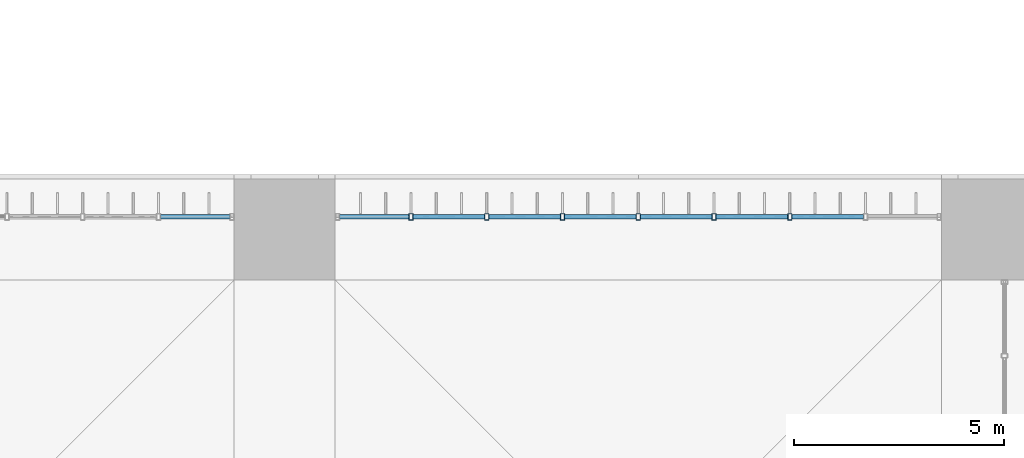
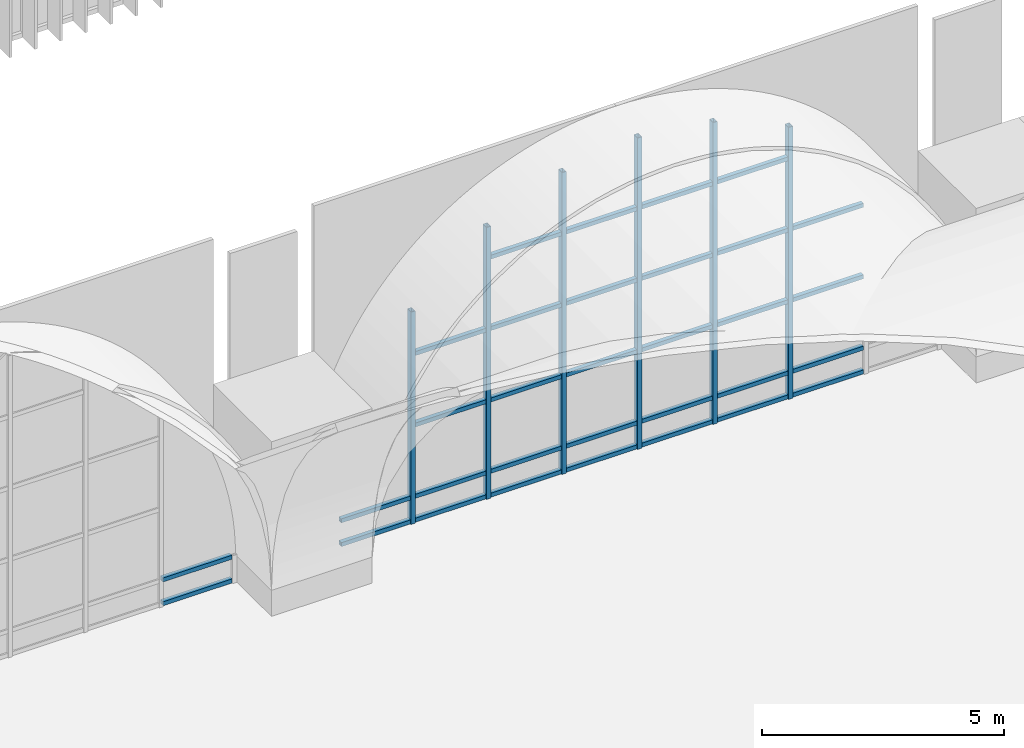
# One storey, part 55 of 169: 38 members, 2 elements without a shape of their own.
"""IFC4 building model written with IfcOpenShell, lengths in metres."""

from ifc_helpers import new_model, si_unit, direction, frame, origin, origin_2d, place, context, subcontext, project, spatial, hollow_rectangle, extrude, material, layer, layer_set, material_profile, profile_set, type_object, element, aggregate, save


model = new_model("IFC4")

# Units and contexts
model_context = context("Model", 3, precision=1e-05, world=origin(), true_north=direction((0.0, 1.0)))
body_context = subcontext(model_context, "Body", "Model", "MODEL_VIEW")
ifc_project = project(units=[si_unit("LENGTHUNIT", "METRE"), si_unit("AREAUNIT", "SQUARE_METRE"), si_unit("VOLUMEUNIT", "CUBIC_METRE"), si_unit("PLANEANGLEUNIT", "RADIAN"), si_unit("MASSUNIT", "GRAM", prefix="KILO")], contexts=[model_context])

# Site, building, storey
site_placement = place(None, origin())
site = spatial("IfcSite", under=ifc_project, at=site_placement, CompositionType="ELEMENT")
building_placement = place(site_placement, origin())
building = spatial("IfcBuilding", under=site, at=building_placement, Name="Verrick Yard Athletic Hall", CompositionType="ELEMENT")
storey_placement = place(building_placement, frame((0.0, 0.0, 4.39990234375)))
storey = spatial("IfcBuildingStorey", under=building, at=storey_placement, Name="L01", CompositionType="ELEMENT", Elevation=4.39990234375)

# Curtain wall, members
ifc_material_1 = material(Name="Aluminium and glass curtain wall", Category="aluminium")
ifc_layer = layer(ifc_material_1, 0.14990234375)
ifc_layer_set = layer_set([ifc_layer], Name="Arcade glazing arch")
curtain_wall_type = type_object("IfcCurtainWallType", Name="Arcade glazing arch", PredefinedType="NOTDEFINED", material=ifc_layer_set)
curtain_wall_1_placement = place(storey_placement, origin())
curtain_wall_1 = element("IfcCurtainWall", 1, at=curtain_wall_1_placement, inside=storey, type_object=curtain_wall_type, Name="Arcade glazing N7", PredefinedType="NOTDEFINED")
ifc_material_2 = material(Name="Structural steel HSS Class C 350W (CSA G40.20/G40.21)", Category="steel")
ifc_material_profile_1 = material_profile(ifc_material_2, hollow_rectangle(XDim=0.1015625, YDim=0.15234375, WallThickness=0.008056640625, at=origin_2d()), Name="HSS152x102x7.9")
ifc_profile_set_1 = profile_set([ifc_material_profile_1], Name="Structural steel HSS Class C 350W (CSA G40.20/G40.21)")
member_type_1 = type_object("IfcMemberType", Name="Curtain wall mullion HSS152x102x7.9", PredefinedType="MULLION", material=ifc_profile_set_1)
member_1_placement = place(storey_placement, frame((143.800048828125, 53.10009765625, 0.0), z_axis=(0.0, 0.0, 1.0), x_axis=(1.0, 0.0, 0.0)))
member_1 = element("IfcMember", 2, at=member_1_placement, type_object=member_type_1, Name="Arcade glazing N7 mullion 2", PredefinedType="MULLION", context=body_context, shape_type="SweptSolid", body=[
    extrude(hollow_rectangle(XDim=0.1015625, YDim=0.15234375, WallThickness=0.008056640625, at=origin_2d()), origin(), (0.0, 0.0, 1.0), 5.351806640625),
])
member_2_placement = place(storey_placement, frame((145.60009765625, 53.10009765625, 0.0), z_axis=(0.0, 0.0, 1.0), x_axis=(1.0, 0.0, 0.0)))
member_2 = element("IfcMember", 3, at=member_2_placement, type_object=member_type_1, Name="Arcade glazing N7 mullion 3", PredefinedType="MULLION", context=body_context, shape_type="SweptSolid", body=[
    extrude(hollow_rectangle(XDim=0.1015625, YDim=0.15234375, WallThickness=0.008056640625, at=origin_2d()), origin(), (0.0, 0.0, 1.0), 6.8544921875),
])
member_3_placement = place(storey_placement, frame((147.39990234375, 53.10009765625, 0.0), z_axis=(0.0, 0.0, 1.0), x_axis=(1.0, 0.0, 0.0)))
member_3 = element("IfcMember", 4, at=member_3_placement, type_object=member_type_1, Name="Arcade glazing N7 mullion 4", PredefinedType="MULLION", context=body_context, shape_type="SweptSolid", body=[
    extrude(hollow_rectangle(XDim=0.1015625, YDim=0.15234375, WallThickness=0.008056640625, at=origin_2d()), origin(), (0.0, 0.0, 1.0), 7.607666015625),
])
member_4_placement = place(storey_placement, frame((149.199951171875, 53.10009765625, 0.0), z_axis=(0.0, 0.0, 1.0), x_axis=(1.0, 0.0, 0.0)))
member_4 = element("IfcMember", 5, at=member_4_placement, type_object=member_type_1, Name="Arcade glazing N7 mullion 5", PredefinedType="MULLION", context=body_context, shape_type="SweptSolid", body=[
    extrude(hollow_rectangle(XDim=0.1015625, YDim=0.15234375, WallThickness=0.008056640625, at=origin_2d()), origin(), (0.0, 0.0, 1.0), 7.8486328125),
])
member_5_placement = place(storey_placement, frame((151.0, 53.10009765625, 0.0), z_axis=(0.0, 0.0, 1.0), x_axis=(1.0, 0.0, 0.0)))
member_5 = element("IfcMember", 6, at=member_5_placement, type_object=member_type_1, Name="Arcade glazing N7 mullion 6", PredefinedType="MULLION", context=body_context, shape_type="SweptSolid", body=[
    extrude(hollow_rectangle(XDim=0.1015625, YDim=0.15234375, WallThickness=0.008056640625, at=origin_2d()), origin(), (0.0, 0.0, 1.0), 7.607666015625),
])
member_6_placement = place(storey_placement, frame((152.800048828125, 53.10009765625, 0.0), z_axis=(0.0, 0.0, 1.0), x_axis=(1.0, 0.0, 0.0)))
member_6 = element("IfcMember", 7, at=member_6_placement, type_object=member_type_1, Name="Arcade glazing N7 mullion 7", PredefinedType="MULLION", context=body_context, shape_type="SweptSolid", body=[
    extrude(hollow_rectangle(XDim=0.1015625, YDim=0.15234375, WallThickness=0.008056640625, at=origin_2d()), origin(), (0.0, 0.0, 1.0), 6.8544921875),
])

curtain_wall_2_placement = place(storey_placement, origin())
curtain_wall_2 = element("IfcCurtainWall", 8, at=curtain_wall_2_placement, inside=storey, type_object=curtain_wall_type, Name="Arcade glazing N6", PredefinedType="NOTDEFINED")
ifc_material_profile_2 = material_profile(ifc_material_2, hollow_rectangle(XDim=0.1015625, YDim=0.1015625, WallThickness=0.00634765625, at=origin_2d()), Name="HSS102x102x6.4")
ifc_profile_set_2 = profile_set([ifc_material_profile_2], Name="Structural steel HSS Class C 350W (CSA G40.20/G40.21)")
member_type_2 = type_object("IfcMemberType", Name="Curtain wall transom HSS102x102x6.4", PredefinedType="USERDEFINED", material=ifc_profile_set_2)
member_7_placement = place(storey_placement, frame((137.850830078125, 53.10009765625, 0.05078125), z_axis=(1.0, 0.0, 0.0), x_axis=(0.0, 1.0, 0.0)))
member_7 = element("IfcMember", 9, at=member_7_placement, type_object=member_type_2, Name="Arcade glazing N6 transom 31", ObjectType="TRANSOM", PredefinedType="USERDEFINED", context=body_context, shape_type="SweptSolid", body=[
    extrude(hollow_rectangle(XDim=0.1015625, YDim=0.1015625, WallThickness=0.00634765625, at=origin_2d()), origin(), (0.0, 0.0, 1.0), 1.64697265625),
])
member_8_placement = place(storey_placement, frame((137.850830078125, 53.10009765625, 0.650146484375), z_axis=(1.0, 0.0, 0.0), x_axis=(0.0, 1.0, 0.0)))
member_8 = element("IfcMember", 10, at=member_8_placement, type_object=member_type_2, Name="Arcade glazing N6 transom 32", ObjectType="TRANSOM", PredefinedType="USERDEFINED", context=body_context, shape_type="SweptSolid", body=[
    extrude(hollow_rectangle(XDim=0.1015625, YDim=0.1015625, WallThickness=0.00634765625, at=origin_2d()), origin(), (0.0, 0.0, 1.0), 1.64697265625),
])
aggregate(curtain_wall_2, [member_7, member_8])

# Member
member_9_placement = place(storey_placement, frame((142.10205078125, 53.10009765625, 0.05078125), z_axis=(1.0, 0.0, 0.0), x_axis=(0.0, 1.0, 0.0)))
member_9 = element("IfcMember", 11, at=member_9_placement, type_object=member_type_2, Name="Arcade glazing N7 transom 1", ObjectType="TRANSOM", PredefinedType="USERDEFINED", context=body_context, shape_type="SweptSolid", body=[
    extrude(hollow_rectangle(XDim=0.1015625, YDim=0.1015625, WallThickness=0.00634765625, at=origin_2d()), origin(), (0.0, 0.0, 1.0), 1.647216796875),
])

member_10_placement = place(storey_placement, frame((142.10205078125, 53.10009765625, 0.650146484375), z_axis=(1.0, 0.0, 0.0), x_axis=(0.0, 1.0, 0.0)))
member_10 = element("IfcMember", 12, at=member_10_placement, type_object=member_type_2, Name="Arcade glazing N7 transom 2", ObjectType="TRANSOM", PredefinedType="USERDEFINED", context=body_context, shape_type="SweptSolid", body=[
    extrude(hollow_rectangle(XDim=0.1015625, YDim=0.1015625, WallThickness=0.00634765625, at=origin_2d()), origin(), (0.0, 0.0, 1.0), 1.647216796875),
])

member_11_placement = place(storey_placement, frame((143.850830078125, 53.10009765625, 0.05078125), z_axis=(1.0, 0.0, 0.0), x_axis=(0.0, 1.0, 0.0)))
member_11 = element("IfcMember", 13, at=member_11_placement, type_object=member_type_2, Name="Arcade glazing N7 transom 3", ObjectType="TRANSOM", PredefinedType="USERDEFINED", context=body_context, shape_type="SweptSolid", body=[
    extrude(hollow_rectangle(XDim=0.1015625, YDim=0.1015625, WallThickness=0.00634765625, at=origin_2d()), origin(), (0.0, 0.0, 1.0), 1.698486328125),
])

member_12_placement = place(storey_placement, frame((143.850830078125, 53.10009765625, 0.650146484375), z_axis=(1.0, 0.0, 0.0), x_axis=(0.0, 1.0, 0.0)))
member_12 = element("IfcMember", 14, at=member_12_placement, type_object=member_type_2, Name="Arcade glazing N7 transom 4", ObjectType="TRANSOM", PredefinedType="USERDEFINED", context=body_context, shape_type="SweptSolid", body=[
    extrude(hollow_rectangle(XDim=0.1015625, YDim=0.1015625, WallThickness=0.00634765625, at=origin_2d()), origin(), (0.0, 0.0, 1.0), 1.698486328125),
])

member_13_placement = place(storey_placement, frame((143.850830078125, 53.10009765625, 2.4501953125), z_axis=(1.0, 0.0, 0.0), x_axis=(0.0, 1.0, 0.0)))
member_13 = element("IfcMember", 15, at=member_13_placement, type_object=member_type_2, Name="Arcade glazing N7 transom 5", ObjectType="TRANSOM", PredefinedType="USERDEFINED", context=body_context, shape_type="SweptSolid", body=[
    extrude(hollow_rectangle(XDim=0.1015625, YDim=0.1015625, WallThickness=0.00634765625, at=origin_2d()), origin(), (0.0, 0.0, 1.0), 1.698486328125),
])

member_14_placement = place(storey_placement, frame((143.850830078125, 53.10009765625, 4.25), z_axis=(1.0, 0.0, 0.0), x_axis=(0.0, 1.0, 0.0)))
member_14 = element("IfcMember", 16, at=member_14_placement, type_object=member_type_2, Name="Arcade glazing N7 transom 6", ObjectType="TRANSOM", PredefinedType="USERDEFINED", context=body_context, shape_type="SweptSolid", body=[
    extrude(hollow_rectangle(XDim=0.1015625, YDim=0.1015625, WallThickness=0.00634765625, at=origin_2d()), origin(), (0.0, 0.0, 1.0), 1.698486328125),
])

member_15_placement = place(storey_placement, frame((145.65087890625, 53.10009765625, 0.05078125), z_axis=(1.0, 0.0, 0.0), x_axis=(0.0, 1.0, 0.0)))
member_15 = element("IfcMember", 17, at=member_15_placement, type_object=member_type_2, Name="Arcade glazing N7 transom 7", ObjectType="TRANSOM", PredefinedType="USERDEFINED", context=body_context, shape_type="SweptSolid", body=[
    extrude(hollow_rectangle(XDim=0.1015625, YDim=0.1015625, WallThickness=0.00634765625, at=origin_2d()), origin(), (0.0, 0.0, 1.0), 1.6982421875),
])

member_16_placement = place(storey_placement, frame((145.65087890625, 53.10009765625, 0.650146484375), z_axis=(1.0, 0.0, 0.0), x_axis=(0.0, 1.0, 0.0)))
member_16 = element("IfcMember", 18, at=member_16_placement, type_object=member_type_2, Name="Arcade glazing N7 transom 8", ObjectType="TRANSOM", PredefinedType="USERDEFINED", context=body_context, shape_type="SweptSolid", body=[
    extrude(hollow_rectangle(XDim=0.1015625, YDim=0.1015625, WallThickness=0.00634765625, at=origin_2d()), origin(), (0.0, 0.0, 1.0), 1.6982421875),
])

member_17_placement = place(storey_placement, frame((145.65087890625, 53.10009765625, 2.4501953125), z_axis=(1.0, 0.0, 0.0), x_axis=(0.0, 1.0, 0.0)))
member_17 = element("IfcMember", 19, at=member_17_placement, type_object=member_type_2, Name="Arcade glazing N7 transom 9", ObjectType="TRANSOM", PredefinedType="USERDEFINED", context=body_context, shape_type="SweptSolid", body=[
    extrude(hollow_rectangle(XDim=0.1015625, YDim=0.1015625, WallThickness=0.00634765625, at=origin_2d()), origin(), (0.0, 0.0, 1.0), 1.6982421875),
])

member_18_placement = place(storey_placement, frame((145.65087890625, 53.10009765625, 4.25), z_axis=(1.0, 0.0, 0.0), x_axis=(0.0, 1.0, 0.0)))
member_18 = element("IfcMember", 20, at=member_18_placement, type_object=member_type_2, Name="Arcade glazing N7 transom 10", ObjectType="TRANSOM", PredefinedType="USERDEFINED", context=body_context, shape_type="SweptSolid", body=[
    extrude(hollow_rectangle(XDim=0.1015625, YDim=0.1015625, WallThickness=0.00634765625, at=origin_2d()), origin(), (0.0, 0.0, 1.0), 1.6982421875),
])

member_19_placement = place(storey_placement, frame((145.65087890625, 53.10009765625, 6.050048828125), z_axis=(1.0, 0.0, 0.0), x_axis=(0.0, 1.0, 0.0)))
member_19 = element("IfcMember", 21, at=member_19_placement, type_object=member_type_2, Name="Arcade glazing N7 transom 11", ObjectType="TRANSOM", PredefinedType="USERDEFINED", context=body_context, shape_type="SweptSolid", body=[
    extrude(hollow_rectangle(XDim=0.1015625, YDim=0.1015625, WallThickness=0.00634765625, at=origin_2d()), origin(), (0.0, 0.0, 1.0), 1.6982421875),
])

member_20_placement = place(storey_placement, frame((147.45068359375, 53.10009765625, 0.05078125), z_axis=(1.0, 0.0, 0.0), x_axis=(0.0, 1.0, 0.0)))
member_20 = element("IfcMember", 22, at=member_20_placement, type_object=member_type_2, Name="Arcade glazing N7 transom 12", ObjectType="TRANSOM", PredefinedType="USERDEFINED", context=body_context, shape_type="SweptSolid", body=[
    extrude(hollow_rectangle(XDim=0.1015625, YDim=0.1015625, WallThickness=0.00634765625, at=origin_2d()), origin(), (0.0, 0.0, 1.0), 1.698486328125),
])

member_21_placement = place(storey_placement, frame((147.45068359375, 53.10009765625, 0.650146484375), z_axis=(1.0, 0.0, 0.0), x_axis=(0.0, 1.0, 0.0)))
member_21 = element("IfcMember", 23, at=member_21_placement, type_object=member_type_2, Name="Arcade glazing N7 transom 13", ObjectType="TRANSOM", PredefinedType="USERDEFINED", context=body_context, shape_type="SweptSolid", body=[
    extrude(hollow_rectangle(XDim=0.1015625, YDim=0.1015625, WallThickness=0.00634765625, at=origin_2d()), origin(), (0.0, 0.0, 1.0), 1.698486328125),
])

member_22_placement = place(storey_placement, frame((147.45068359375, 53.10009765625, 2.4501953125), z_axis=(1.0, 0.0, 0.0), x_axis=(0.0, 1.0, 0.0)))
member_22 = element("IfcMember", 24, at=member_22_placement, type_object=member_type_2, Name="Arcade glazing N7 transom 14", ObjectType="TRANSOM", PredefinedType="USERDEFINED", context=body_context, shape_type="SweptSolid", body=[
    extrude(hollow_rectangle(XDim=0.1015625, YDim=0.1015625, WallThickness=0.00634765625, at=origin_2d()), origin(), (0.0, 0.0, 1.0), 1.698486328125),
])

member_23_placement = place(storey_placement, frame((147.45068359375, 53.10009765625, 4.25), z_axis=(1.0, 0.0, 0.0), x_axis=(0.0, 1.0, 0.0)))
member_23 = element("IfcMember", 25, at=member_23_placement, type_object=member_type_2, Name="Arcade glazing N7 transom 15", ObjectType="TRANSOM", PredefinedType="USERDEFINED", context=body_context, shape_type="SweptSolid", body=[
    extrude(hollow_rectangle(XDim=0.1015625, YDim=0.1015625, WallThickness=0.00634765625, at=origin_2d()), origin(), (0.0, 0.0, 1.0), 1.698486328125),
])

member_24_placement = place(storey_placement, frame((147.45068359375, 53.10009765625, 6.050048828125), z_axis=(1.0, 0.0, 0.0), x_axis=(0.0, 1.0, 0.0)))
member_24 = element("IfcMember", 26, at=member_24_placement, type_object=member_type_2, Name="Arcade glazing N7 transom 16", ObjectType="TRANSOM", PredefinedType="USERDEFINED", context=body_context, shape_type="SweptSolid", body=[
    extrude(hollow_rectangle(XDim=0.1015625, YDim=0.1015625, WallThickness=0.00634765625, at=origin_2d()), origin(), (0.0, 0.0, 1.0), 1.698486328125),
])

member_25_placement = place(storey_placement, frame((149.250732421875, 53.10009765625, 0.05078125), z_axis=(1.0, 0.0, 0.0), x_axis=(0.0, 1.0, 0.0)))
member_25 = element("IfcMember", 27, at=member_25_placement, type_object=member_type_2, Name="Arcade glazing N7 transom 17", ObjectType="TRANSOM", PredefinedType="USERDEFINED", context=body_context, shape_type="SweptSolid", body=[
    extrude(hollow_rectangle(XDim=0.1015625, YDim=0.1015625, WallThickness=0.00634765625, at=origin_2d()), origin(), (0.0, 0.0, 1.0), 1.698486328125),
])

member_26_placement = place(storey_placement, frame((149.250732421875, 53.10009765625, 0.650146484375), z_axis=(1.0, 0.0, 0.0), x_axis=(0.0, 1.0, 0.0)))
member_26 = element("IfcMember", 28, at=member_26_placement, type_object=member_type_2, Name="Arcade glazing N7 transom 18", ObjectType="TRANSOM", PredefinedType="USERDEFINED", context=body_context, shape_type="SweptSolid", body=[
    extrude(hollow_rectangle(XDim=0.1015625, YDim=0.1015625, WallThickness=0.00634765625, at=origin_2d()), origin(), (0.0, 0.0, 1.0), 1.698486328125),
])

member_27_placement = place(storey_placement, frame((149.250732421875, 53.10009765625, 2.4501953125), z_axis=(1.0, 0.0, 0.0), x_axis=(0.0, 1.0, 0.0)))
member_27 = element("IfcMember", 29, at=member_27_placement, type_object=member_type_2, Name="Arcade glazing N7 transom 19", ObjectType="TRANSOM", PredefinedType="USERDEFINED", context=body_context, shape_type="SweptSolid", body=[
    extrude(hollow_rectangle(XDim=0.1015625, YDim=0.1015625, WallThickness=0.00634765625, at=origin_2d()), origin(), (0.0, 0.0, 1.0), 1.698486328125),
])

member_28_placement = place(storey_placement, frame((149.250732421875, 53.10009765625, 4.25), z_axis=(1.0, 0.0, 0.0), x_axis=(0.0, 1.0, 0.0)))
member_28 = element("IfcMember", 30, at=member_28_placement, type_object=member_type_2, Name="Arcade glazing N7 transom 20", ObjectType="TRANSOM", PredefinedType="USERDEFINED", context=body_context, shape_type="SweptSolid", body=[
    extrude(hollow_rectangle(XDim=0.1015625, YDim=0.1015625, WallThickness=0.00634765625, at=origin_2d()), origin(), (0.0, 0.0, 1.0), 1.698486328125),
])

member_29_placement = place(storey_placement, frame((149.250732421875, 53.10009765625, 6.050048828125), z_axis=(1.0, 0.0, 0.0), x_axis=(0.0, 1.0, 0.0)))
member_29 = element("IfcMember", 31, at=member_29_placement, type_object=member_type_2, Name="Arcade glazing N7 transom 21", ObjectType="TRANSOM", PredefinedType="USERDEFINED", context=body_context, shape_type="SweptSolid", body=[
    extrude(hollow_rectangle(XDim=0.1015625, YDim=0.1015625, WallThickness=0.00634765625, at=origin_2d()), origin(), (0.0, 0.0, 1.0), 1.698486328125),
])

member_30_placement = place(storey_placement, frame((151.05078125, 53.10009765625, 0.05078125), z_axis=(1.0, 0.0, 0.0), x_axis=(0.0, 1.0, 0.0)))
member_30 = element("IfcMember", 32, at=member_30_placement, type_object=member_type_2, Name="Arcade glazing N7 transom 22", ObjectType="TRANSOM", PredefinedType="USERDEFINED", context=body_context, shape_type="SweptSolid", body=[
    extrude(hollow_rectangle(XDim=0.1015625, YDim=0.1015625, WallThickness=0.00634765625, at=origin_2d()), origin(), (0.0, 0.0, 1.0), 1.698486328125),
])

member_31_placement = place(storey_placement, frame((151.05078125, 53.10009765625, 0.650146484375), z_axis=(1.0, 0.0, 0.0), x_axis=(0.0, 1.0, 0.0)))
member_31 = element("IfcMember", 33, at=member_31_placement, type_object=member_type_2, Name="Arcade glazing N7 transom 23", ObjectType="TRANSOM", PredefinedType="USERDEFINED", context=body_context, shape_type="SweptSolid", body=[
    extrude(hollow_rectangle(XDim=0.1015625, YDim=0.1015625, WallThickness=0.00634765625, at=origin_2d()), origin(), (0.0, 0.0, 1.0), 1.698486328125),
])

member_32_placement = place(storey_placement, frame((151.05078125, 53.10009765625, 2.4501953125), z_axis=(1.0, 0.0, 0.0), x_axis=(0.0, 1.0, 0.0)))
member_32 = element("IfcMember", 34, at=member_32_placement, type_object=member_type_2, Name="Arcade glazing N7 transom 24", ObjectType="TRANSOM", PredefinedType="USERDEFINED", context=body_context, shape_type="SweptSolid", body=[
    extrude(hollow_rectangle(XDim=0.1015625, YDim=0.1015625, WallThickness=0.00634765625, at=origin_2d()), origin(), (0.0, 0.0, 1.0), 1.698486328125),
])

member_33_placement = place(storey_placement, frame((151.05078125, 53.10009765625, 4.25), z_axis=(1.0, 0.0, 0.0), x_axis=(0.0, 1.0, 0.0)))
member_33 = element("IfcMember", 35, at=member_33_placement, type_object=member_type_2, Name="Arcade glazing N7 transom 25", ObjectType="TRANSOM", PredefinedType="USERDEFINED", context=body_context, shape_type="SweptSolid", body=[
    extrude(hollow_rectangle(XDim=0.1015625, YDim=0.1015625, WallThickness=0.00634765625, at=origin_2d()), origin(), (0.0, 0.0, 1.0), 1.698486328125),
])

member_34_placement = place(storey_placement, frame((151.05078125, 53.10009765625, 6.050048828125), z_axis=(1.0, 0.0, 0.0), x_axis=(0.0, 1.0, 0.0)))
member_34 = element("IfcMember", 36, at=member_34_placement, type_object=member_type_2, Name="Arcade glazing N7 transom 26", ObjectType="TRANSOM", PredefinedType="USERDEFINED", context=body_context, shape_type="SweptSolid", body=[
    extrude(hollow_rectangle(XDim=0.1015625, YDim=0.1015625, WallThickness=0.00634765625, at=origin_2d()), origin(), (0.0, 0.0, 1.0), 1.698486328125),
])

member_35_placement = place(storey_placement, frame((152.850830078125, 53.10009765625, 0.05078125), z_axis=(1.0, 0.0, 0.0), x_axis=(0.0, 1.0, 0.0)))
member_35 = element("IfcMember", 37, at=member_35_placement, type_object=member_type_2, Name="Arcade glazing N7 transom 27", ObjectType="TRANSOM", PredefinedType="USERDEFINED", context=body_context, shape_type="SweptSolid", body=[
    extrude(hollow_rectangle(XDim=0.1015625, YDim=0.1015625, WallThickness=0.00634765625, at=origin_2d()), origin(), (0.0, 0.0, 1.0), 1.698486328125),
])

member_36_placement = place(storey_placement, frame((152.850830078125, 53.10009765625, 0.650146484375), z_axis=(1.0, 0.0, 0.0), x_axis=(0.0, 1.0, 0.0)))
member_36 = element("IfcMember", 38, at=member_36_placement, type_object=member_type_2, Name="Arcade glazing N7 transom 28", ObjectType="TRANSOM", PredefinedType="USERDEFINED", context=body_context, shape_type="SweptSolid", body=[
    extrude(hollow_rectangle(XDim=0.1015625, YDim=0.1015625, WallThickness=0.00634765625, at=origin_2d()), origin(), (0.0, 0.0, 1.0), 1.698486328125),
])

member_37_placement = place(storey_placement, frame((152.850830078125, 53.10009765625, 2.4501953125), z_axis=(1.0, 0.0, 0.0), x_axis=(0.0, 1.0, 0.0)))
member_37 = element("IfcMember", 39, at=member_37_placement, type_object=member_type_2, Name="Arcade glazing N7 transom 29", ObjectType="TRANSOM", PredefinedType="USERDEFINED", context=body_context, shape_type="SweptSolid", body=[
    extrude(hollow_rectangle(XDim=0.1015625, YDim=0.1015625, WallThickness=0.00634765625, at=origin_2d()), origin(), (0.0, 0.0, 1.0), 1.698486328125),
])

member_38_placement = place(storey_placement, frame((152.850830078125, 53.10009765625, 4.25), z_axis=(1.0, 0.0, 0.0), x_axis=(0.0, 1.0, 0.0)))
member_38 = element("IfcMember", 40, at=member_38_placement, type_object=member_type_2, Name="Arcade glazing N7 transom 30", ObjectType="TRANSOM", PredefinedType="USERDEFINED", context=body_context, shape_type="SweptSolid", body=[
    extrude(hollow_rectangle(XDim=0.1015625, YDim=0.1015625, WallThickness=0.00634765625, at=origin_2d()), origin(), (0.0, 0.0, 1.0), 1.698486328125),
])

aggregate(curtain_wall_1, [member_1, member_2, member_3, member_4, member_5, member_6, member_9, member_10, member_11, member_12, member_13, member_14, member_15, member_16, member_17, member_18, member_19, member_20, member_21, member_22, member_23, member_24, member_25, member_26, member_27, member_28, member_29, member_30, member_31, member_32, member_33, member_34, member_35, member_36, member_37, member_38])

save(model, "model.ifc")
